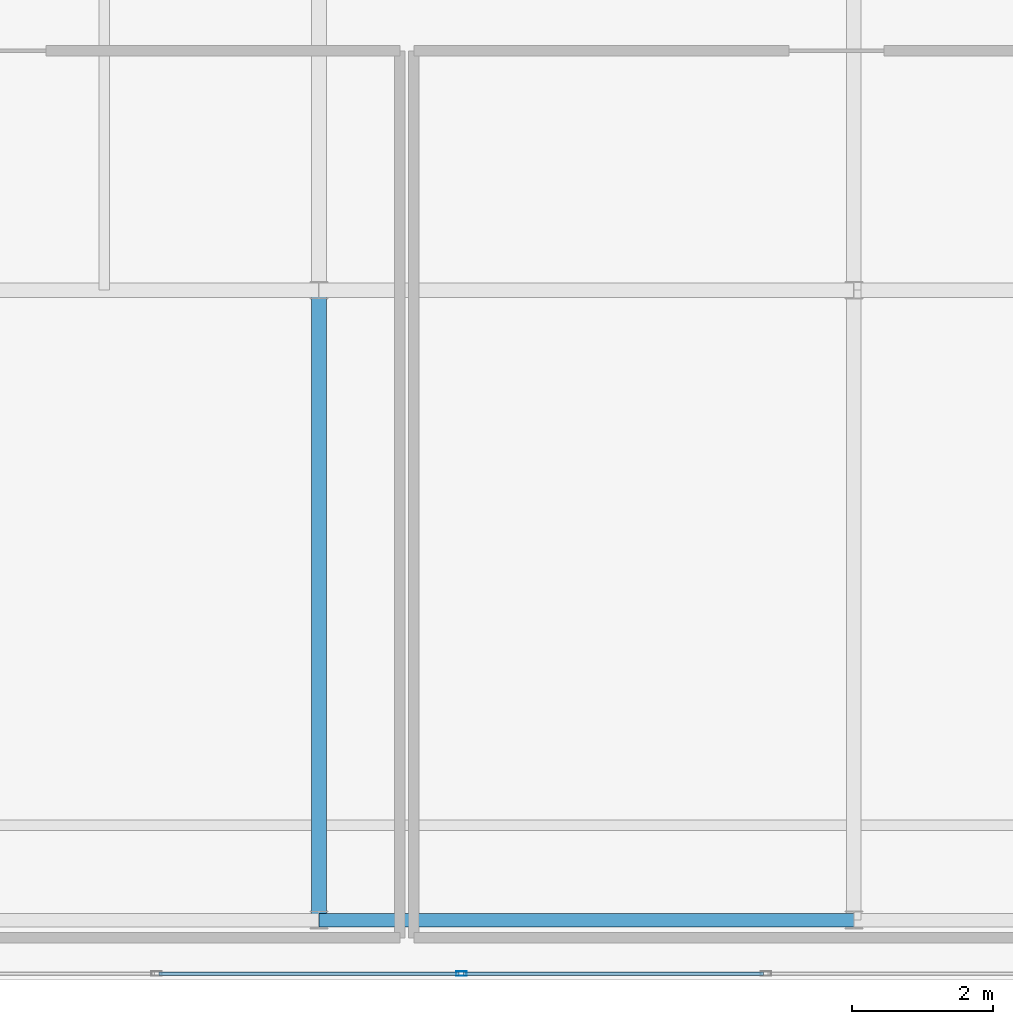
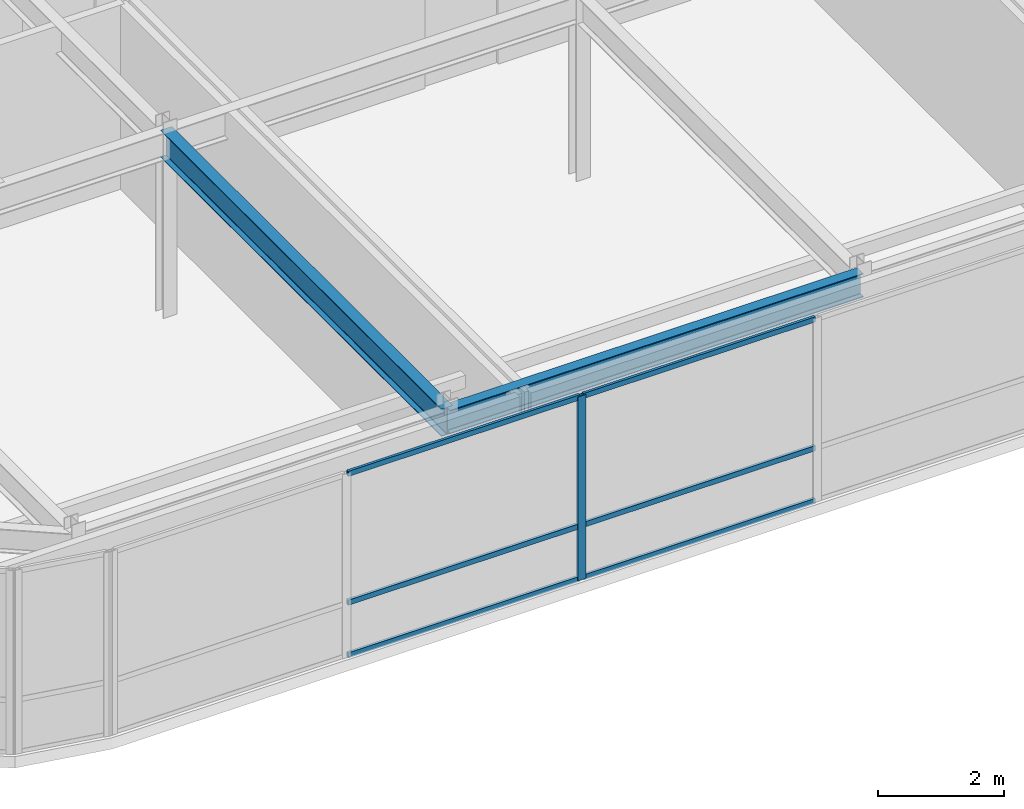
# One storey, part 7 of 36: 7 members, 2 beams, 1 element without a shape of its own.
"""IFC4 building model written with IfcOpenShell, lengths in metres."""

from ifc_helpers import new_model, si_unit, direction, frame, origin, origin_2d, place, context, subcontext, project, spatial, hollow_rectangle, i_section, extrude, source, transform, mapped, material, layer, layer_set, material_profile, profile_set, type_object, type_shapes, element, aggregate, save


model = new_model("IFC4")

# Units and contexts
model_context = context("Model", 3, precision=1e-05, world=origin(), true_north=direction((0.0, 1.0)))
body_context = subcontext(model_context, "Body", "Model", "MODEL_VIEW")
ifc_project = project(units=[si_unit("LENGTHUNIT", "METRE"), si_unit("AREAUNIT", "SQUARE_METRE"), si_unit("VOLUMEUNIT", "CUBIC_METRE"), si_unit("PLANEANGLEUNIT", "RADIAN"), si_unit("MASSUNIT", "GRAM", prefix="KILO")], contexts=[model_context])

# Site, building, storey
site_placement = place(None, origin())
site = spatial("IfcSite", under=ifc_project, at=site_placement, CompositionType="ELEMENT")
building_placement = place(site_placement, origin())
building = spatial("IfcBuilding", under=site, at=building_placement, Name="Tolvann Quenvar Hotel", CompositionType="ELEMENT")
storey_placement = place(building_placement, frame((0.0, 0.0, 302.35009765625)))
storey = spatial("IfcBuildingStorey", under=building, at=storey_placement, Name="L80", CompositionType="ELEMENT", Elevation=302.35009765625)

# Beams
ifc_material_1 = material(Name="Steel Grade 350", Category="steel")
ifc_material_profile_1 = material_profile(ifc_material_1, i_section(OverallWidth=0.19091796875, OverallDepth=0.4599609375, WebThickness=0.010009765625, FlangeThickness=0.01611328125, FilletRadius=0.011474609375, at=origin_2d()), Name="460UB82")
ifc_profile_set_1 = profile_set([ifc_material_profile_1], Name="Steel Grade 350")
beam_type_1 = type_object("IfcBeamType", Name="BM_SPAND_460UB82", PredefinedType="SPANDREL", material=ifc_profile_set_1)
shared_shape_1 = source(origin(), body_context, "Body", "SweptSolid", [
    extrude(i_section(OverallWidth=0.19091796875, OverallDepth=0.4599609375, WebThickness=0.010009765625, FlangeThickness=0.01611328125, FilletRadius=0.011474609375, at=origin_2d()), origin(), (0.0, 0.0, 1.0), 7.60009765625),
])
type_shapes(beam_type_1, [shared_shape_1])
beam_1_placement = place(storey_placement, frame((14.449951171875, 7.050048828125, 3.349853515625), z_axis=(1.0, 0.0, 0.0), x_axis=(0.0, 1.0, 0.0)))
element("IfcBeam", 1, at=beam_1_placement, inside=storey, type_object=beam_type_1, Name="BM-L80-EW-2-D2-E2", PredefinedType="SPANDREL", context=body_context, shape_type="MappedRepresentation", body=[
    mapped(shared_shape_1, transform((0.0, 0.0, 0.0), x_axis=(1.0, 0.0, 0.0), y_axis=(0.0, 1.0, 0.0), z_axis=(0.0, 0.0, 1.0), scale=1.0)),
])
ifc_material_profile_2 = material_profile(ifc_material_1, i_section(OverallWidth=0.208984375, OverallDepth=0.532958984375, WebThickness=0.01025390625, FlangeThickness=0.015625, FilletRadius=0.013916015625, at=origin_2d()), Name="530UB92")
ifc_profile_set_2 = profile_set([ifc_material_profile_2], Name="Steel Grade 350")
beam_type_2 = type_object("IfcBeamType", Name="BM_GIRD_530UB92", PredefinedType="BEAM", material=ifc_profile_set_2)
shared_shape_2 = source(origin(), body_context, "Body", "SweptSolid", [
    extrude(i_section(OverallWidth=0.208984375, OverallDepth=0.532958984375, WebThickness=0.01025390625, FlangeThickness=0.015625, FilletRadius=0.013916015625, at=origin_2d()), origin(), (0.0, 0.0, 1.0), 8.949951171875),
])
type_shapes(beam_type_2, [shared_shape_2])
beam_2_placement = place(storey_placement, frame((14.449951171875, 7.050048828125, 3.3134765625), z_axis=(0.0, 1.0, 0.0), x_axis=(-1.0, 0.0, 0.0)))
element("IfcBeam", 2, at=beam_2_placement, inside=storey, type_object=beam_type_2, Name="BM-L80-NS-D2-D4", PredefinedType="BEAM", context=body_context, shape_type="MappedRepresentation", body=[
    mapped(shared_shape_2, transform((0.0, 0.0, 0.0), x_axis=(1.0, 0.0, 0.0), y_axis=(0.0, 1.0, 0.0), z_axis=(0.0, 0.0, 1.0), scale=1.0)),
])

# Curtain wall, members
ifc_material_2 = material(Name="Thermally broken anodised architectural aluminium 6063-T6 and laminated low-E glass", Category="aluminium")
ifc_layer = layer(ifc_material_2, 0.179931640625)
ifc_layer_set = layer_set([ifc_layer], Name="Thermally broken anodised architectural aluminium 6063-T6 and laminated low-E glass")
curtain_wall_type = type_object("IfcCurtainWallType", Name="CW_SYS_LANT_06", PredefinedType="USERDEFINED", material=ifc_layer_set)
curtain_wall_placement = place(storey_placement, origin())
curtain_wall = element("IfcCurtainWall", 3, at=curtain_wall_placement, inside=storey, type_object=curtain_wall_type, Name="Curtain Wall CW-LANT-06 (CWR-L80-E04)", ObjectType="UNITISED CURTAIN WALL", PredefinedType="USERDEFINED")
ifc_material_3 = material(Name="Anodised architectural aluminium 6063-T6 framing", Category="aluminium")
ifc_material_profile_3 = material_profile(ifc_material_3, hollow_rectangle(XDim=0.050048828125, YDim=0.10009765625, WallThickness=0.0029296875, at=origin_2d()), Name="100x50x3RHS")
ifc_profile_set_3 = profile_set([ifc_material_profile_3], Name="Anodised architectural aluminium 6063-T6 framing")
member_type_1 = type_object("IfcMemberType", Name="CW_TRAN_100x50", PredefinedType="USERDEFINED", material=ifc_profile_set_3)
shared_shape_3 = source(origin(), body_context, "Body", "SweptSolid", [
    extrude(hollow_rectangle(XDim=0.050048828125, YDim=0.10009765625, WallThickness=0.0029296875, at=origin_2d()), origin(), (0.0, 0.0, 1.0), 4.2626953125),
])
type_shapes(member_type_1, [shared_shape_3])
member_1_placement = place(storey_placement, frame((12.17724609375, 6.2900390625, 0.02490234375), z_axis=(1.0, 0.0, 0.0), x_axis=(0.0, 1.0, 0.0)))
member_1 = element("IfcMember", 4, at=member_1_placement, type_object=member_type_1, Name="CW-LANT-06 transom 2.1", ObjectType="TRANSOM", PredefinedType="USERDEFINED", context=body_context, shape_type="MappedRepresentation", body=[
    mapped(shared_shape_3, transform((0.0, 0.0, 0.0), x_axis=(1.0, 0.0, 0.0), y_axis=(0.0, 1.0, 0.0), z_axis=(0.0, 0.0, 1.0), scale=1.0)),
])
member_2_placement = place(storey_placement, frame((12.17724609375, 6.2900390625, 1.0498046875), z_axis=(1.0, 0.0, 0.0), x_axis=(0.0, 1.0, 0.0)))
member_2 = element("IfcMember", 5, at=member_2_placement, type_object=member_type_1, Name="CW-LANT-06 transom 2.2", ObjectType="TRANSOM", PredefinedType="USERDEFINED", context=body_context, shape_type="MappedRepresentation", body=[
    mapped(shared_shape_3, transform((0.0, 0.0, 0.0), x_axis=(1.0, 0.0, 0.0), y_axis=(0.0, 1.0, 0.0), z_axis=(0.0, 0.0, 1.0), scale=1.0)),
])
member_3_placement = place(storey_placement, frame((12.17724609375, 6.2900390625, 3.554931640625), z_axis=(1.0, 0.0, 0.0), x_axis=(0.0, 1.0, 0.0)))
member_3 = element("IfcMember", 6, at=member_3_placement, type_object=member_type_1, Name="CW-LANT-06 transom 2.3", ObjectType="TRANSOM", PredefinedType="USERDEFINED", context=body_context, shape_type="MappedRepresentation", body=[
    mapped(shared_shape_3, transform((0.0, 0.0, 0.0), x_axis=(1.0, 0.0, 0.0), y_axis=(0.0, 1.0, 0.0), z_axis=(0.0, 0.0, 1.0), scale=1.0)),
])
member_4_placement = place(storey_placement, frame((16.5048828125, 6.2900390625, 0.02490234375), z_axis=(1.0, 0.0, 0.0), x_axis=(0.0, 1.0, 0.0)))
member_4 = element("IfcMember", 7, at=member_4_placement, type_object=member_type_1, Name="CW-LANT-06 transom 3.1", ObjectType="TRANSOM", PredefinedType="USERDEFINED", context=body_context, shape_type="MappedRepresentation", body=[
    mapped(shared_shape_3, transform((0.0, 0.0, 0.0), x_axis=(1.0, 0.0, 0.0), y_axis=(0.0, 1.0, 0.0), z_axis=(0.0, 0.0, 1.0), scale=1.0)),
])
member_5_placement = place(storey_placement, frame((16.5048828125, 6.2900390625, 1.0498046875), z_axis=(1.0, 0.0, 0.0), x_axis=(0.0, 1.0, 0.0)))
member_5 = element("IfcMember", 8, at=member_5_placement, type_object=member_type_1, Name="CW-LANT-06 transom 3.2", ObjectType="TRANSOM", PredefinedType="USERDEFINED", context=body_context, shape_type="MappedRepresentation", body=[
    mapped(shared_shape_3, transform((0.0, 0.0, 0.0), x_axis=(1.0, 0.0, 0.0), y_axis=(0.0, 1.0, 0.0), z_axis=(0.0, 0.0, 1.0), scale=1.0)),
])
member_6_placement = place(storey_placement, frame((16.5048828125, 6.2900390625, 3.554931640625), z_axis=(1.0, 0.0, 0.0), x_axis=(0.0, 1.0, 0.0)))
member_6 = element("IfcMember", 9, at=member_6_placement, type_object=member_type_1, Name="CW-LANT-06 transom 3.3", ObjectType="TRANSOM", PredefinedType="USERDEFINED", context=body_context, shape_type="MappedRepresentation", body=[
    mapped(shared_shape_3, transform((0.0, 0.0, 0.0), x_axis=(1.0, 0.0, 0.0), y_axis=(0.0, 1.0, 0.0), z_axis=(0.0, 0.0, 1.0), scale=1.0)),
])
ifc_material_profile_4 = material_profile(ifc_material_3, hollow_rectangle(XDim=0.06494140625, YDim=0.14990234375, WallThickness=0.00390625, at=origin_2d()), Name="150x65x4RHS")
ifc_profile_set_4 = profile_set([ifc_material_profile_4], Name="Anodised architectural aluminium 6063-T6 framing")
member_type_2 = type_object("IfcMemberType", Name="CW_MULL_150x65", PredefinedType="MULLION", material=ifc_profile_set_4)
shared_shape_4 = source(origin(), body_context, "Body", "SweptSolid", [
    extrude(hollow_rectangle(XDim=0.06494140625, YDim=0.14990234375, WallThickness=0.00390625, at=origin_2d()), origin(), (0.0, 0.0, 1.0), 3.579833984375),
])
type_shapes(member_type_2, [shared_shape_4])
member_7_placement = place(storey_placement, frame((16.472412109375, 6.2900390625, 0.0), z_axis=(0.0, 0.0, 1.0), x_axis=(0.0, 1.0, 0.0)))
member_7 = element("IfcMember", 10, at=member_7_placement, type_object=member_type_2, Name="CW-LANT-06 mullion 3", PredefinedType="MULLION", context=body_context, shape_type="MappedRepresentation", body=[
    mapped(shared_shape_4, transform((0.0, 0.0, 0.0), x_axis=(1.0, 0.0, 0.0), y_axis=(0.0, 1.0, 0.0), z_axis=(0.0, 0.0, 1.0), scale=1.0)),
])
aggregate(curtain_wall, [member_7, member_1, member_2, member_3, member_4, member_5, member_6])

save(model, "model.ifc")
